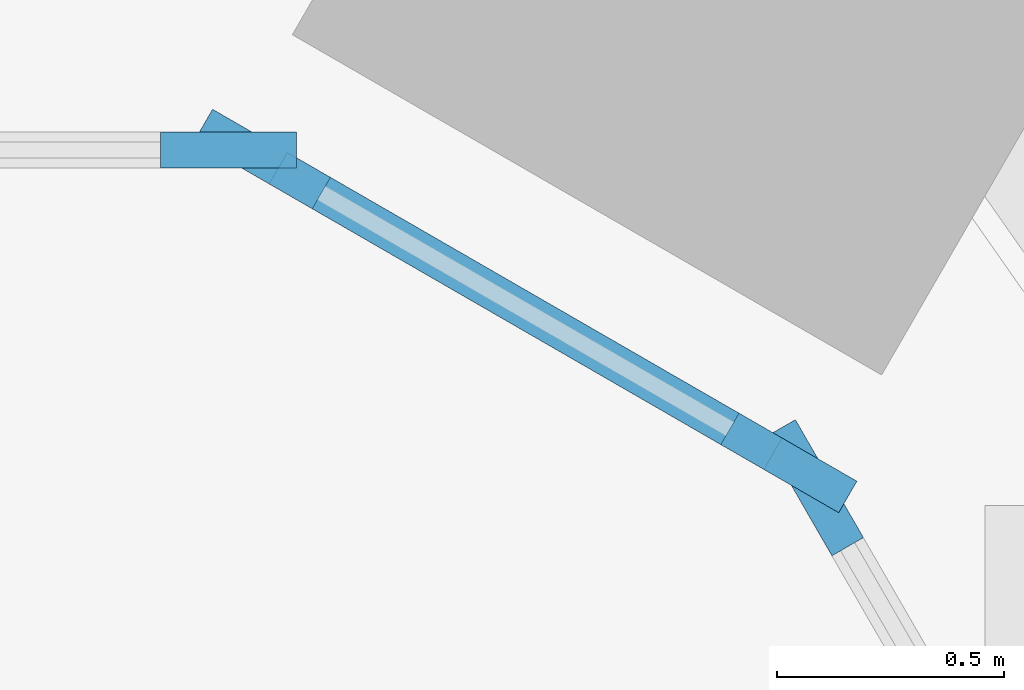
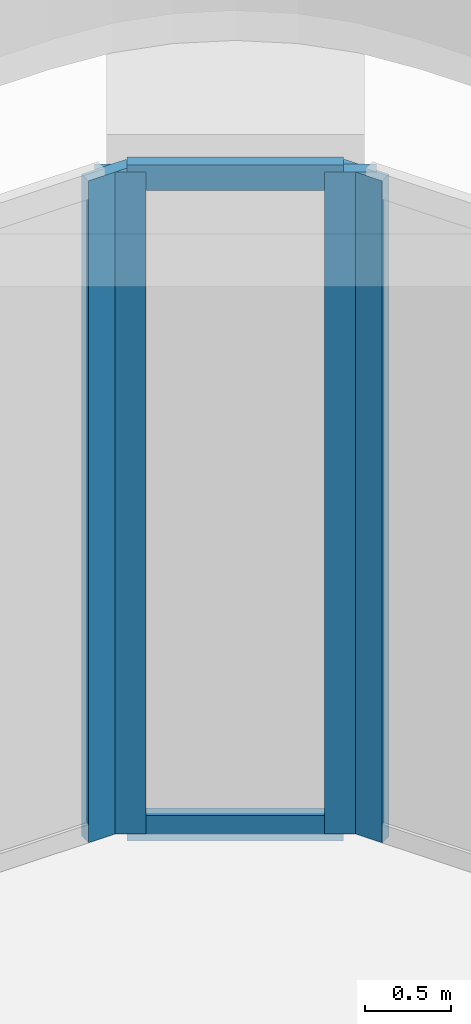
# One storey, part 10 of 34: 6 members, 3 elements without a shape of their own.
"""IFC4 building model written with IfcOpenShell, lengths in metres."""

from ifc_helpers import new_model, si_unit, direction, frame, origin, origin_2d, place, context, subcontext, project, spatial, rectangle, extrude, material, material_profile, profile_set, type_object, element, aggregate, save


model = new_model("IFC4")

# Units and contexts
model_context = context("Model", 3, precision=1e-05, world=origin(), true_north=direction((0.0, 1.0)))
body_context = subcontext(model_context, "Body", "Model", "MODEL_VIEW")
ifc_project = project(units=[si_unit("LENGTHUNIT", "METRE"), si_unit("AREAUNIT", "SQUARE_METRE"), si_unit("VOLUMEUNIT", "CUBIC_METRE"), si_unit("PLANEANGLEUNIT", "RADIAN"), si_unit("MASSUNIT", "GRAM", prefix="KILO")], contexts=[model_context])

# Site, building, storey
site_placement = place(None, origin())
site = spatial("IfcSite", under=ifc_project, at=site_placement, CompositionType="ELEMENT")
building_placement = place(site_placement, origin())
building = spatial("IfcBuilding", under=site, at=building_placement, Name="Kolab Exchange Tower", CompositionType="ELEMENT")
storey_placement = place(building_placement, frame((0.0, 0.0, 12.39990234375)))
storey = spatial("IfcBuildingStorey", under=building, at=storey_placement, Name="L02", CompositionType="ELEMENT", Elevation=12.39990234375)

# Curtain wall, member
ifc_material = material(Name="Aluminium EN AW-6063 T6", Category="aluminium")
curtain_wall_type = type_object("IfcCurtainWallType", Name="PODIUM STRUCTURAL GLAZING CURTAIN WALL", PredefinedType="NOTDEFINED", material=ifc_material)
curtain_wall_1_placement = place(storey_placement, origin())
curtain_wall_1 = element("IfcCurtainWall", 1, at=curtain_wall_1_placement, inside=storey, type_object=curtain_wall_type, Name="cw/L02/F1-2", PredefinedType="NOTDEFINED")
ifc_material_profile_1 = material_profile(ifc_material, rectangle(XDim=0.080078125, YDim=0.300048828125, at=origin_2d()), Name="RECT 80X300")
ifc_profile_set_1 = profile_set([ifc_material_profile_1], Name="Aluminium EN AW-6063 T6")
member_type_1 = type_object("IfcMemberType", Name="PODIUM STRUCTURAL GLAZING MULLION 80 X 300", PredefinedType="MULLION", material=ifc_profile_set_1)
member_1_placement = place(storey_placement, frame((22.22802734375, 39.9892578125, 0.0), z_axis=(0.0, 0.0, 1.0), x_axis=(0.0, 1.0, 0.0)))
member_1 = element("IfcMember", 2, at=member_1_placement, type_object=member_type_1, Name="CW5 mullion 5", PredefinedType="MULLION", context=body_context, shape_type="SweptSolid", body=[
    extrude(rectangle(XDim=0.080078125, YDim=0.300048828125, at=origin_2d()), origin(), (0.0, 0.0, 1.0), 4.7001953125),
])
aggregate(curtain_wall_1, [member_1])

curtain_wall_2_placement = place(storey_placement, origin())
curtain_wall_2 = element("IfcCurtainWall", 3, at=curtain_wall_2_placement, inside=storey, type_object=curtain_wall_type, Name="cw/L02/F2-1", PredefinedType="NOTDEFINED")
member_2_placement = place(storey_placement, frame((23.517822265625, 39.24462890625, 0.0), z_axis=(0.0, 0.0, 1.0), x_axis=(0.866025403514, 0.500000000469, 0.0)))
member_2 = element("IfcMember", 4, at=member_2_placement, type_object=member_type_1, Name="CW5 mullion 1", PredefinedType="MULLION", context=body_context, shape_type="SweptSolid", body=[
    extrude(rectangle(XDim=0.080078125, YDim=0.300048828125, at=origin_2d()), origin(), (0.0, 0.0, 1.0), 4.7001953125),
])
aggregate(curtain_wall_2, [member_2])

# Curtain wall, members
curtain_wall_3_placement = place(storey_placement, origin())
curtain_wall_3 = element("IfcCurtainWall", 5, at=curtain_wall_3_placement, inside=storey, type_object=curtain_wall_type, Name="cw/L02/F1F2-corner", PredefinedType="NOTDEFINED")
member_3_placement = place(storey_placement, frame((22.302490234375, 39.96923828125, 0.0), z_axis=(0.0, 0.0, 1.0), x_axis=(0.50000002237, 0.866025390869, 0.0)))
member_3 = element("IfcMember", 6, at=member_3_placement, type_object=member_type_1, Name="CW5 mullion 1", PredefinedType="MULLION", context=body_context, shape_type="SweptSolid", body=[
    extrude(rectangle(XDim=0.080078125, YDim=0.300048828125, at=origin_2d()), origin(), (0.0, 0.0, 1.0), 4.7001953125),
])
member_4_placement = place(storey_placement, frame((23.463134765625, 39.29931640625, 0.0), z_axis=(0.0, 0.0, 1.0), x_axis=(0.50000002237, 0.866025390869, 0.0)))
member_4 = element("IfcMember", 7, at=member_4_placement, type_object=member_type_1, Name="CW5 mullion 2", PredefinedType="MULLION", context=body_context, shape_type="SweptSolid", body=[
    extrude(rectangle(XDim=0.080078125, YDim=0.300048828125, at=origin_2d()), origin(), (0.0, 0.0, 1.0), 4.7001953125),
])
ifc_material_profile_2 = material_profile(ifc_material, rectangle(XDim=0.080078125, YDim=0.179931640625, at=origin_2d()), Name="RECT 80X180")
ifc_profile_set_2 = profile_set([ifc_material_profile_2], Name="Aluminium EN AW-6063 T6")
member_type_2 = type_object("IfcMemberType", Name="PODIUM STRUCTURAL GLAZING TRANSOM 80 X 180", PredefinedType="USERDEFINED", material=ifc_profile_set_2)
member_5_placement = place(storey_placement, frame((22.337158203125, 39.94921875, 0.0400390625), z_axis=(0.866088799389, -0.499890179513, 0.0), x_axis=(0.499890179513, 0.866088799389, 0.0)))
member_5 = element("IfcMember", 8, at=member_5_placement, type_object=member_type_2, Name="CW5 transom 1.1", ObjectType="TRANSOM", PredefinedType="USERDEFINED", context=body_context, shape_type="SweptSolid", body=[
    extrude(rectangle(XDim=0.080078125, YDim=0.179931640625, at=origin_2d()), origin(), (0.0, 0.0, 1.0), 1.260009765625),
])
member_6_placement = place(storey_placement, frame((22.337158203125, 39.94921875, 4.66015625), z_axis=(0.866088799389, -0.499890179513, 0.0), x_axis=(0.499890179513, 0.866088799389, 0.0)))
member_6 = element("IfcMember", 9, at=member_6_placement, type_object=member_type_2, Name="CW5 transom 1.2", ObjectType="TRANSOM", PredefinedType="USERDEFINED", context=body_context, shape_type="SweptSolid", body=[
    extrude(rectangle(XDim=0.080078125, YDim=0.179931640625, at=origin_2d()), origin(), (0.0, 0.0, 1.0), 1.260009765625),
])
aggregate(curtain_wall_3, [member_3, member_4, member_5, member_6])

save(model, "model.ifc")
